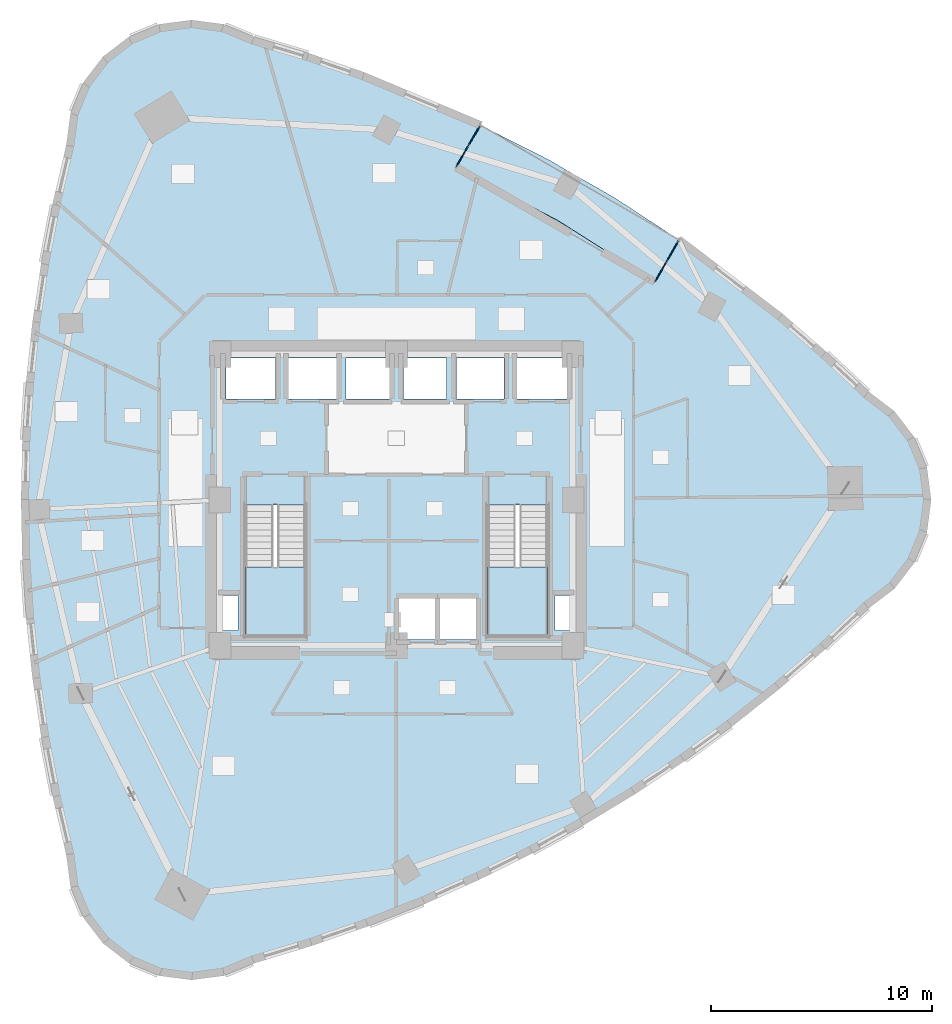
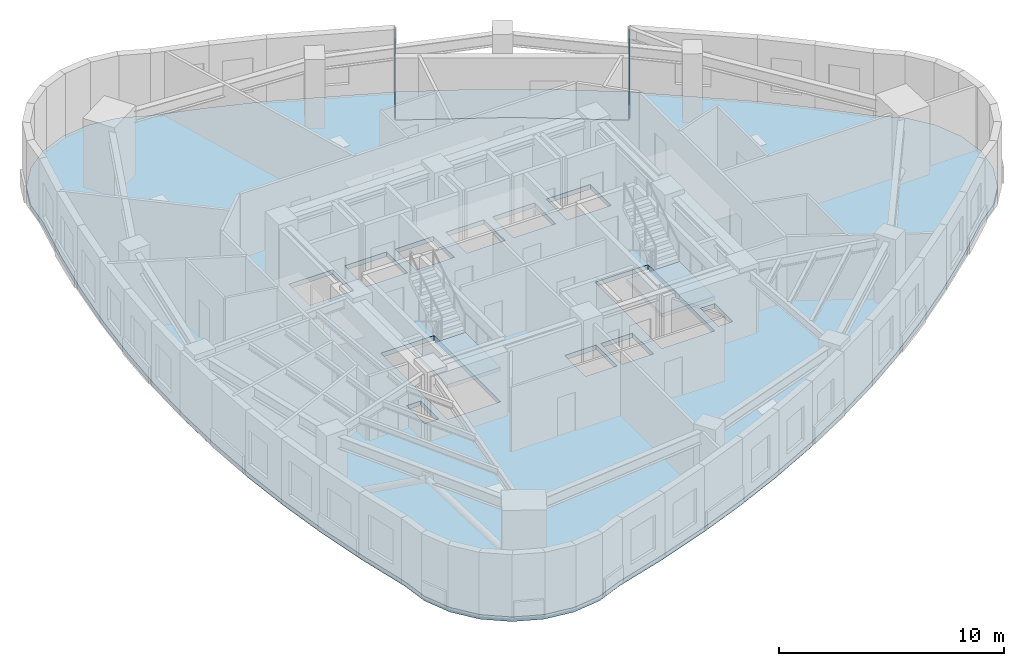
# One storey, part 6 of 14: 12 plates, 4 slabs, 4 elements without a shape of their own.
"""IFC4 building model written with IfcOpenShell, lengths in metres."""

from ifc_helpers import new_model, si_unit, direction, frame, origin, origin_2d, place, context, subcontext, project, spatial, polyline, rectangle, outline, extrude, material, layer, layer_set, type_object, element, aggregate, save


model = new_model("IFC4")

# Units and contexts
model_context = context("Model", 3, precision=1e-05, world=origin(), true_north=direction((0.0, 1.0)))
body_context = subcontext(model_context, "Body", "Model", "MODEL_VIEW")
ifc_project = project(units=[si_unit("LENGTHUNIT", "METRE"), si_unit("AREAUNIT", "SQUARE_METRE"), si_unit("VOLUMEUNIT", "CUBIC_METRE"), si_unit("PLANEANGLEUNIT", "RADIAN"), si_unit("MASSUNIT", "GRAM", prefix="KILO")], contexts=[model_context])

# Site, building, storey
site_placement = place(None, origin())
site = spatial("IfcSite", under=ifc_project, at=site_placement, CompositionType="ELEMENT")
building_placement = place(site_placement, origin())
building = spatial("IfcBuilding", under=site, at=building_placement, Name="Ndelora Gate Hotel", CompositionType="ELEMENT")
storey_placement = place(building_placement, frame((0.0, 0.0, 119.75)))
storey = spatial("IfcBuildingStorey", under=building, at=storey_placement, Name="L29", CompositionType="ELEMENT", Elevation=119.75)

# Curtain wall, plates
ifc_material_1 = material(Name="Bronze Anodised Unitised Aluminium and Low-E Glass", Category="aluminium")
ifc_layer_1 = layer(ifc_material_1, 0.199951171875)
ifc_layer_set_1 = layer_set([ifc_layer_1], Name="Bronze Anodised Unitised Aluminium and Low-E Glass")
curtain_wall_type = type_object("IfcCurtainWallType", Name="CW-SYS-3", PredefinedType="NOTDEFINED", material=ifc_layer_set_1)
curtain_wall_1_placement = place(storey_placement, origin())
curtain_wall_1 = element("IfcCurtainWall", 1, at=curtain_wall_1_placement, inside=storey, type_object=curtain_wall_type, Name="L29 Sky-Garden Loggia Side Curtain Wall CW3-1", PredefinedType="NOTDEFINED")
ifc_material_2 = material(Name="Solar-Control Low-E Insulated Glazing", Category="glass")
ifc_layer_2 = layer(ifc_material_2, 0.048095703125)
ifc_layer_set_2 = layer_set([ifc_layer_2], Name="Solar-Control Low-E Insulated Glazing")
plate_type = type_object("IfcPlateType", Name="PL-CW-GLZ36", PredefinedType="CURTAIN_PANEL", material=ifc_layer_set_2)
plate_1_placement = place(storey_placement, frame((11.994140625, 10.374755859375, 0.05908203125), z_axis=(0.0, 0.0, 1.0), x_axis=(0.500011000366, 0.866019052627, 0.0)))
plate_1 = element("IfcPlate", 2, at=plate_1_placement, type_object=plate_type, Name="CW3 panel 1.1", PredefinedType="CURTAIN_PANEL", context=body_context, shape_type="SweptSolid", body=[
    extrude(rectangle(XDim=1.014404296875, YDim=0.048095703125, at=origin_2d()), origin(), (0.0, 0.0, 1.0), 0.364501953125),
])
plate_2_placement = place(storey_placement, frame((11.994140625, 10.374755859375, 0.4765625), z_axis=(0.0, 0.0, 1.0), x_axis=(0.500011000366, 0.866019052627, 0.0)))
plate_2 = element("IfcPlate", 3, at=plate_2_placement, type_object=plate_type, Name="CW3 panel 1.2", PredefinedType="CURTAIN_PANEL", context=body_context, shape_type="SweptSolid", body=[
    extrude(rectangle(XDim=1.014404296875, YDim=0.048095703125, at=origin_2d()), origin(), (0.0, 0.0, 1.0), 2.447021484375),
])
plate_3_placement = place(storey_placement, frame((11.994140625, 10.374755859375, 2.9765625), z_axis=(0.0, 0.0, 1.0), x_axis=(0.500011000366, 0.866019052627, 0.0)))
plate_3 = element("IfcPlate", 4, at=plate_3_placement, type_object=plate_type, Name="CW3 panel 1.3", PredefinedType="CURTAIN_PANEL", context=body_context, shape_type="SweptSolid", body=[
    extrude(rectangle(XDim=1.014404296875, YDim=0.048095703125, at=origin_2d()), origin(), (0.0, 0.0, 1.0), 0.464599609375),
])
plate_4_placement = place(storey_placement, frame((12.528076171875, 11.299072265625, 0.05908203125), z_axis=(0.0, 0.0, 1.0), x_axis=(0.500011000366, 0.866019052627, 0.0)))
plate_4 = element("IfcPlate", 5, at=plate_4_placement, type_object=plate_type, Name="CW3 panel 2.1", PredefinedType="CURTAIN_PANEL", context=body_context, shape_type="SweptSolid", body=[
    extrude(rectangle(XDim=1.014404296875, YDim=0.048095703125, at=origin_2d()), origin(), (0.0, 0.0, 1.0), 0.364501953125),
])
plate_5_placement = place(storey_placement, frame((12.528076171875, 11.299072265625, 0.4765625), z_axis=(0.0, 0.0, 1.0), x_axis=(0.500011000366, 0.866019052627, 0.0)))
plate_5 = element("IfcPlate", 6, at=plate_5_placement, type_object=plate_type, Name="CW3 panel 2.2", PredefinedType="CURTAIN_PANEL", context=body_context, shape_type="SweptSolid", body=[
    extrude(rectangle(XDim=1.014404296875, YDim=0.048095703125, at=origin_2d()), origin(), (0.0, 0.0, 1.0), 2.447021484375),
])
plate_6_placement = place(storey_placement, frame((12.528076171875, 11.299072265625, 2.9765625), z_axis=(0.0, 0.0, 1.0), x_axis=(0.500011000366, 0.866019052627, 0.0)))
plate_6 = element("IfcPlate", 7, at=plate_6_placement, type_object=plate_type, Name="CW3 panel 2.3", PredefinedType="CURTAIN_PANEL", context=body_context, shape_type="SweptSolid", body=[
    extrude(rectangle(XDim=1.014404296875, YDim=0.048095703125, at=origin_2d()), origin(), (0.0, 0.0, 1.0), 0.464599609375),
])
aggregate(curtain_wall_1, [plate_1, plate_2, plate_3, plate_4, plate_5, plate_6])

curtain_wall_2_placement = place(storey_placement, origin())
curtain_wall_2 = element("IfcCurtainWall", 8, at=curtain_wall_2_placement, inside=storey, type_object=curtain_wall_type, Name="L29 Sky-Garden Loggia Side Curtain Wall CW3-2", PredefinedType="NOTDEFINED")
plate_7_placement = place(storey_placement, frame((3.521484375, 16.4990234375, 0.05908203125), z_axis=(0.0, 0.0, 1.0), x_axis=(-0.500011000366, -0.866019052627, 0.0)))
plate_7 = element("IfcPlate", 9, at=plate_7_placement, type_object=plate_type, Name="CW3 panel 1.1", PredefinedType="CURTAIN_PANEL", context=body_context, shape_type="SweptSolid", body=[
    extrude(rectangle(XDim=1.014404296875, YDim=0.048095703125, at=origin_2d()), origin(), (0.0, 0.0, 1.0), 0.364501953125),
])
plate_8_placement = place(storey_placement, frame((3.521484375, 16.4990234375, 0.4765625), z_axis=(0.0, 0.0, 1.0), x_axis=(-0.500011000366, -0.866019052627, 0.0)))
plate_8 = element("IfcPlate", 10, at=plate_8_placement, type_object=plate_type, Name="CW3 panel 1.2", PredefinedType="CURTAIN_PANEL", context=body_context, shape_type="SweptSolid", body=[
    extrude(rectangle(XDim=1.014404296875, YDim=0.048095703125, at=origin_2d()), origin(), (0.0, 0.0, 1.0), 2.447021484375),
])
plate_9_placement = place(storey_placement, frame((3.521484375, 16.4990234375, 2.9765625), z_axis=(0.0, 0.0, 1.0), x_axis=(-0.500011000366, -0.866019052627, 0.0)))
plate_9 = element("IfcPlate", 11, at=plate_9_placement, type_object=plate_type, Name="CW3 panel 1.3", PredefinedType="CURTAIN_PANEL", context=body_context, shape_type="SweptSolid", body=[
    extrude(rectangle(XDim=1.014404296875, YDim=0.048095703125, at=origin_2d()), origin(), (0.0, 0.0, 1.0), 0.464599609375),
])
plate_10_placement = place(storey_placement, frame((2.987548828125, 15.57470703125, 0.05908203125), z_axis=(0.0, 0.0, 1.0), x_axis=(-0.500011000366, -0.866019052627, 0.0)))
plate_10 = element("IfcPlate", 12, at=plate_10_placement, type_object=plate_type, Name="CW3 panel 2.1", PredefinedType="CURTAIN_PANEL", context=body_context, shape_type="SweptSolid", body=[
    extrude(rectangle(XDim=1.014404296875, YDim=0.048095703125, at=origin_2d()), origin(), (0.0, 0.0, 1.0), 0.364501953125),
])
plate_11_placement = place(storey_placement, frame((2.987548828125, 15.57470703125, 0.4765625), z_axis=(0.0, 0.0, 1.0), x_axis=(-0.500011000366, -0.866019052627, 0.0)))
plate_11 = element("IfcPlate", 13, at=plate_11_placement, type_object=plate_type, Name="CW3 panel 2.2", PredefinedType="CURTAIN_PANEL", context=body_context, shape_type="SweptSolid", body=[
    extrude(rectangle(XDim=1.014404296875, YDim=0.048095703125, at=origin_2d()), origin(), (0.0, 0.0, 1.0), 2.447021484375),
])
plate_12_placement = place(storey_placement, frame((2.987548828125, 15.57470703125, 2.9765625), z_axis=(0.0, 0.0, 1.0), x_axis=(-0.500011000366, -0.866019052627, 0.0)))
plate_12 = element("IfcPlate", 14, at=plate_12_placement, type_object=plate_type, Name="CW3 panel 2.3", PredefinedType="CURTAIN_PANEL", context=body_context, shape_type="SweptSolid", body=[
    extrude(rectangle(XDim=1.014404296875, YDim=0.048095703125, at=origin_2d()), origin(), (0.0, 0.0, 1.0), 0.464599609375),
])
aggregate(curtain_wall_2, [plate_7, plate_8, plate_9, plate_10, plate_11, plate_12])

# Stair, slab
ifc_material_3 = material(Name="Precast concrete C40/50", Category="concrete")
stair_type = type_object("IfcStairType", Name="STR-DOG-CORE", PredefinedType="HALF_TURN_STAIR", material=ifc_material_3)
stair_1_placement = place(storey_placement, origin())
stair_1 = element("IfcStair", 15, at=stair_1_placement, inside=storey, type_object=stair_type, Name="L29 Protected Core Exit Stair ST4", PredefinedType="HALF_TURN_STAIR")
ifc_layer_3 = layer(ifc_material_3, 0.219970703125)
ifc_layer_set_3 = layer_set([ifc_layer_3], Name="Precast concrete C40/50")
slab_type_1 = type_object("IfcSlabType", Name="SL-LAND-220", PredefinedType="LANDING", material=ifc_layer_set_3)
slab_1_placement = place(storey_placement, frame((0.0, 0.0, 1.675048828125)))
slab_1 = element("IfcSlab", 16, at=slab_1_placement, type_object=slab_type_1, Name="ST4 landing 1", PredefinedType="LANDING", context=body_context, shape_type="SweptSolid", body=[
    extrude(outline(polyline([(-6.85009765625, -3.030029296875), (-6.85009765625, -6.14990234375), (-4.1298828125, -6.14990234375), (-4.1298828125, -3.030029296875), (-6.85009765625, -3.030029296875)])), origin(), (0.0, 0.0, 1.0), 0.199951171875),
])
aggregate(stair_1, [slab_1])

stair_2_placement = place(storey_placement, origin())
stair_2 = element("IfcStair", 17, at=stair_2_placement, inside=storey, type_object=stair_type, Name="L29 Protected Core Exit Stair ST5", PredefinedType="HALF_TURN_STAIR")
slab_2_placement = place(storey_placement, frame((0.0, 0.0, 1.675048828125)))
slab_2 = element("IfcSlab", 18, at=slab_2_placement, type_object=slab_type_1, Name="ST5 landing 1", PredefinedType="LANDING", context=body_context, shape_type="SweptSolid", body=[
    extrude(outline(polyline([(4.1298828125, -3.030029296875), (4.1298828125, -6.14990234375), (6.85009765625, -6.14990234375), (6.85009765625, -3.030029296875), (4.1298828125, -3.030029296875)])), origin(), (0.0, 0.0, 1.0), 0.199951171875),
])
aggregate(stair_2, [slab_2])

# Slabs
ifc_layer_4 = layer(ifc_material_3, 0.239990234375)
ifc_layer_set_4 = layer_set([ifc_layer_4], Name="Precast concrete C40/50")
slab_type_2 = type_object("IfcSlabType", Name="SL-TER-240", PredefinedType="FLOOR", material=ifc_layer_set_4)
slab_3_placement = place(storey_placement, frame((0.0, 0.0, -0.239990234375)))
element("IfcSlab", 19, at=slab_3_placement, inside=storey, type_object=slab_type_2, Name="L29 Sky Garden Loggia Terrace Slab", PredefinedType="FLOOR", context=body_context, shape_type="SweptSolid", body=[
    extrude(outline(polyline([(11.711181640625, 9.88427734375), (12.81103515625, 11.78955078125), (9.933837890625, 13.669921875), (6.87158203125, 15.43798828125), (3.804443359375, 16.989501953125), (2.70458984375, 15.084228515625), (7.315185546875, 12.670166015625), (11.711181640625, 9.88427734375)])), origin(), (0.0, 0.0, 1.0), 0.239990234375),
])
ifc_material_4 = material(Name="Concrete C40/50", Category="concrete")
ifc_layer_5 = layer(ifc_material_4, 0.25)
ifc_layer_set_5 = layer_set([ifc_layer_5], Name="Concrete C40/50")
slab_type_3 = type_object("IfcSlabType", Name="SL-TWR-250", PredefinedType="FLOOR", material=ifc_layer_set_5)
slab_4_placement = place(storey_placement, frame((0.0, 0.0, -0.25)))
element("IfcSlab", 20, at=slab_4_placement, inside=storey, type_object=slab_type_3, Name="L29 Structural Floor Slab", PredefinedType="FLOOR", context=body_context, shape_type="SweptSolid", body=[
    extrude(outline(polyline([(-6.5302734375, 20.8369140625), (-7.856689453125, 21.38623046875), (-9.2802734375, 21.57373046875), (-10.70361328125, 21.38623046875), (-12.0302734375, 20.8369140625), (-13.169189453125, 19.962890625), (-14.043212890625, 18.82373046875), (-14.5927734375, 17.497314453125), (-14.7802734375, 16.07373046875), (-15.406494140625, 13.394775390625), (-15.919189453125, 10.7158203125), (-16.317626953125, 8.036865234375), (-16.602294921875, 5.35791015625), (-16.773193359375, 2.678955078125), (-16.830078125, 0.0), (-16.773193359375, -2.678955078125), (-16.602294921875, -5.35791015625), (-16.317626953125, -8.036865234375), (-15.919189453125, -10.7158203125), (-15.406494140625, -13.394775390625), (-14.7802734375, -16.07373046875), (-14.5927734375, -17.497314453125), (-14.043212890625, -18.82373046875), (-13.169189453125, -19.962890625), (-12.0302734375, -20.8369140625), (-10.70361328125, -21.38623046875), (-9.2802734375, -21.57373046875), (-7.856689453125, -21.38623046875), (-6.5302734375, -20.8369140625), (-3.89697265625, -20.039794921875), (-1.320556640625, -19.144287109375), (1.19873046875, -18.14990234375), (3.6611328125, -17.056884765625), (6.066650390625, -15.865478515625), (8.4150390625, -14.575439453125), (10.706787109375, -13.1865234375), (12.94140625, -11.69921875), (15.118896484375, -10.113037109375), (17.23974609375, -8.428466796875), (19.303466796875, -6.64501953125), (21.310302734375, -4.76318359375), (22.449462890625, -3.88916015625), (23.323486328125, -2.75), (23.872802734375, -1.423583984375), (24.060302734375, 0.0), (23.872802734375, 1.423583984375), (23.323486328125, 2.75), (22.449462890625, 3.88916015625), (21.310302734375, 4.76318359375), (19.385009765625, 6.57177734375), (17.406982421875, 8.289306640625), (12.81103515625, 11.78955078125), (11.711181640625, 9.88427734375), (7.315185546875, 12.670166015625), (2.70458984375, 15.084228515625), (3.804443359375, 16.989501953125), (-1.524658203125, 19.219482421875), (-4.001220703125, 20.073486328125), (-6.5302734375, 20.8369140625)]), holes=[polyline([(-6.85009765625, -0.22998046875), (-6.85009765625, -6.14990234375), (-4.1298828125, -6.14990234375), (-4.1298828125, -0.22998046875), (-6.85009765625, -0.22998046875)]), polyline([(4.1298828125, -0.22998046875), (4.1298828125, -6.14990234375), (6.85009765625, -6.14990234375), (6.85009765625, -0.22998046875), (4.1298828125, -0.22998046875)]), polyline([(-7.72998046875, 4.570068359375), (-5.469970703125, 4.570068359375), (-5.469970703125, 6.429931640625), (-7.72998046875, 6.429931640625), (-7.72998046875, 4.570068359375)]), polyline([(5.469970703125, 4.570068359375), (7.72998046875, 4.570068359375), (7.72998046875, 6.429931640625), (5.469970703125, 6.429931640625), (5.469970703125, 4.570068359375)]), polyline([(-4.8798828125, 4.570068359375), (-2.719970703125, 4.570068359375), (-2.719970703125, 6.429931640625), (-4.8798828125, 6.429931640625), (-4.8798828125, 4.570068359375)]), polyline([(2.719970703125, 4.570068359375), (4.8798828125, 4.570068359375), (4.8798828125, 6.429931640625), (2.719970703125, 6.429931640625), (2.719970703125, 4.570068359375)]), polyline([(0.1201171875, -6.330078125), (1.739990234375, -6.330078125), (1.739990234375, -4.469970703125), (0.1201171875, -4.469970703125), (0.1201171875, -6.330078125)]), polyline([(1.97998046875, -6.330078125), (3.60009765625, -6.330078125), (3.60009765625, -4.469970703125), (1.97998046875, -4.469970703125), (1.97998046875, -6.330078125)]), polyline([(-2.280029296875, 4.570068359375), (-0.320068359375, 4.570068359375), (-0.320068359375, 6.429931640625), (-2.280029296875, 6.429931640625), (-2.280029296875, 4.570068359375)]), polyline([(0.320068359375, 4.570068359375), (2.280029296875, 4.570068359375), (2.280029296875, 6.429931640625), (0.320068359375, 6.429931640625), (0.320068359375, 4.570068359375)]), polyline([(-7.89990234375, -5.919921875), (-7.179931640625, -5.919921875), (-7.179931640625, -4.320068359375), (-7.89990234375, -4.320068359375), (-7.89990234375, -5.919921875)]), polyline([(7.179931640625, -5.919921875), (7.89990234375, -5.919921875), (7.89990234375, -4.320068359375), (7.179931640625, -4.320068359375), (7.179931640625, -5.919921875)])]), origin(), (0.0, 0.0, 1.0), 0.25),
])

save(model, "model.ifc")
